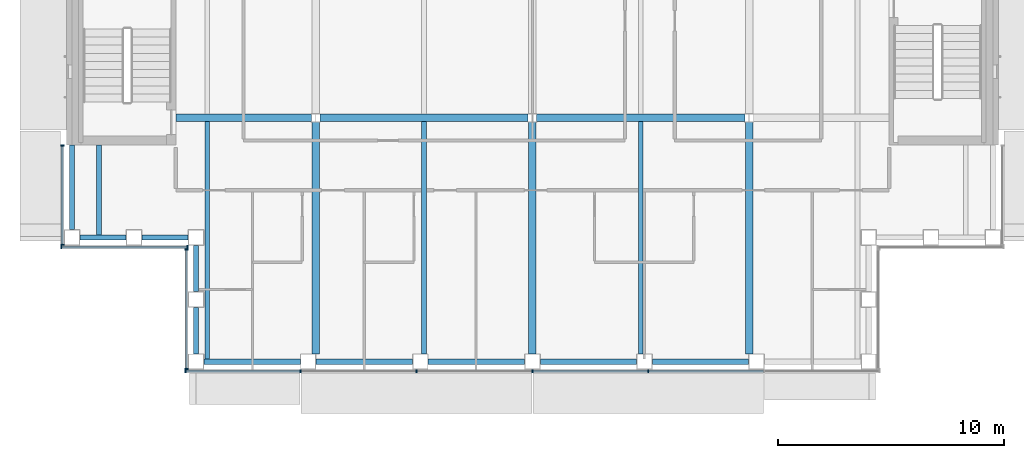
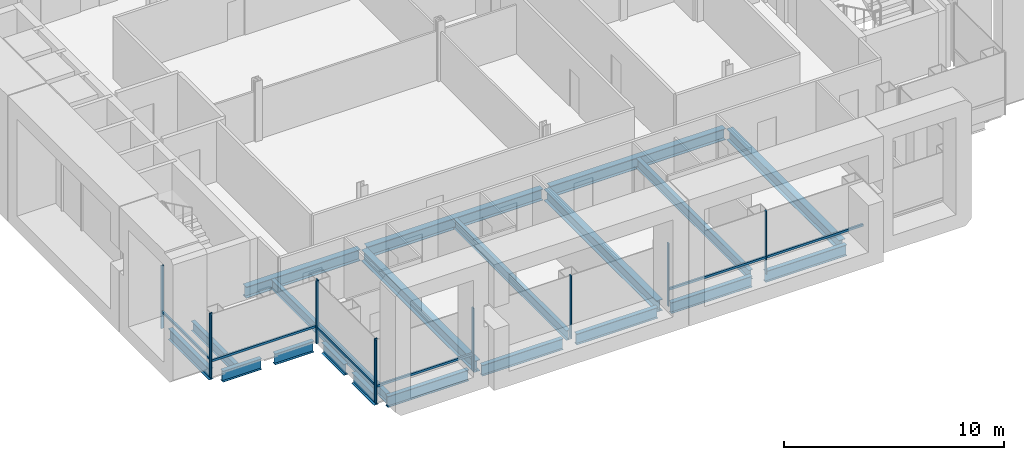
# One storey, part 3 of 19: 20 beams, 17 members, 4 elements without a shape of their own.
"""IFC4 building model written with IfcOpenShell, lengths in metres."""

from ifc_helpers import new_model, si_unit, direction, frame, origin, origin_2d, place, context, subcontext, project, spatial, rectangle, i_section, extrude, material, material_profile, profile_set, type_object, element, aggregate, save


model = new_model("IFC4")

# Units and contexts
model_context = context("Model", 3, precision=1e-05, world=origin(), true_north=direction((0.0, 1.0)))
body_context = subcontext(model_context, "Body", "Model", "MODEL_VIEW")
ifc_project = project(units=[si_unit("LENGTHUNIT", "METRE"), si_unit("AREAUNIT", "SQUARE_METRE"), si_unit("VOLUMEUNIT", "CUBIC_METRE"), si_unit("PLANEANGLEUNIT", "RADIAN"), si_unit("MASSUNIT", "GRAM", prefix="KILO")], contexts=[model_context])

# Site, building, storey
site_placement = place(None, origin())
site = spatial("IfcSite", under=ifc_project, at=site_placement, CompositionType="ELEMENT")
building_placement = place(site_placement, origin())
building = spatial("IfcBuilding", under=site, at=building_placement, Name="Cobrizo Arcos Hotel Tower", CompositionType="ELEMENT")
storey_placement = place(building_placement, frame((0.0, 0.0, 205.0)))
storey = spatial("IfcBuildingStorey", under=building, at=storey_placement, Name="L53", CompositionType="ELEMENT", Elevation=205.0)

# Curtain wall, members
ifc_material_1 = material(Name="Aluminium 6063-T6 anodised bronze", Category="aluminium")
curtain_wall_type = type_object("IfcCurtainWallType", Name="CW-A guest facade", PredefinedType="NOTDEFINED", material=ifc_material_1)
curtain_wall_1_placement = place(storey_placement, origin())
curtain_wall_1 = element("IfcCurtainWall", 1, at=curtain_wall_1_placement, inside=storey, type_object=curtain_wall_type, Name="CW-A L53 S face", PredefinedType="NOTDEFINED")
ifc_material_profile_1 = material_profile(ifc_material_1, rectangle(XDim=0.14990234375, YDim=0.06005859375, at=origin_2d()), Name="CW-A mullion 150x60")
ifc_profile_set_1 = profile_set([ifc_material_profile_1], Name="Aluminium 6063-T6 anodised bronze")
member_type_1 = type_object("IfcMemberType", Name="CW-A mullion 150x60", PredefinedType="MULLION", material=ifc_profile_set_1)
member_1_placement = place(storey_placement, frame((-15.3701171875, -20.824951171875, 0.0), z_axis=(0.0, 0.0, 1.0), x_axis=(0.0, -1.0, 0.0)))
member_1 = element("IfcMember", 2, at=member_1_placement, type_object=member_type_1, Name="CW-A mullion 1", PredefinedType="MULLION", context=body_context, shape_type="SweptSolid", body=[
    extrude(rectangle(XDim=0.14990234375, YDim=0.06005859375, at=origin_2d()), origin(), (0.0, 0.0, 1.0), 3.5),
])
member_2_placement = place(storey_placement, frame((-10.2666015625, -20.824951171875, 0.0), z_axis=(0.0, 0.0, 1.0), x_axis=(0.0, -1.0, 0.0)))
member_2 = element("IfcMember", 3, at=member_2_placement, type_object=member_type_1, Name="CW-A mullion 2", PredefinedType="MULLION", context=body_context, shape_type="SweptSolid", body=[
    extrude(rectangle(XDim=0.14990234375, YDim=0.06005859375, at=origin_2d()), origin(), (0.0, 0.0, 1.0), 3.5),
])
member_3_placement = place(storey_placement, frame((-5.13330078125, -20.824951171875, 0.0), z_axis=(0.0, 0.0, 1.0), x_axis=(0.0, -1.0, 0.0)))
member_3 = element("IfcMember", 4, at=member_3_placement, type_object=member_type_1, Name="CW-A mullion 3", PredefinedType="MULLION", context=body_context, shape_type="SweptSolid", body=[
    extrude(rectangle(XDim=0.14990234375, YDim=0.06005859375, at=origin_2d()), origin(), (0.0, 0.0, 1.0), 3.5),
])
member_4_placement = place(storey_placement, frame((0.0, -20.824951171875, 0.0), z_axis=(0.0, 0.0, 1.0), x_axis=(0.0, -1.0, 0.0)))
member_4 = element("IfcMember", 5, at=member_4_placement, type_object=member_type_1, Name="CW-A mullion 4", PredefinedType="MULLION", context=body_context, shape_type="SweptSolid", body=[
    extrude(rectangle(XDim=0.14990234375, YDim=0.06005859375, at=origin_2d()), origin(), (0.0, 0.0, 1.0), 3.5),
])
member_5_placement = place(storey_placement, frame((5.13330078125, -20.824951171875, 0.0), z_axis=(0.0, 0.0, 1.0), x_axis=(0.0, -1.0, 0.0)))
member_5 = element("IfcMember", 6, at=member_5_placement, type_object=member_type_1, Name="CW-A mullion 5", PredefinedType="MULLION", context=body_context, shape_type="SweptSolid", body=[
    extrude(rectangle(XDim=0.14990234375, YDim=0.06005859375, at=origin_2d()), origin(), (0.0, 0.0, 1.0), 3.5),
])

curtain_wall_2_placement = place(storey_placement, origin())
curtain_wall_2 = element("IfcCurtainWall", 7, at=curtain_wall_2_placement, inside=storey, type_object=curtain_wall_type, Name="CW-A L53 W face", PredefinedType="NOTDEFINED")
member_6_placement = place(storey_placement, frame((-20.824951171875, -10.830078125, 0.0), z_axis=(0.0, 0.0, 1.0), x_axis=(-1.0, 0.0, 0.0)))
member_6 = element("IfcMember", 8, at=member_6_placement, type_object=member_type_1, Name="CW-A mullion 1", PredefinedType="MULLION", context=body_context, shape_type="SweptSolid", body=[
    extrude(rectangle(XDim=0.14990234375, YDim=0.06005859375, at=origin_2d()), origin(), (0.0, 0.0, 1.0), 3.5),
])
member_7_placement = place(storey_placement, frame((-20.824951171875, -15.219970703125, 0.0), z_axis=(0.0, 0.0, 1.0), x_axis=(-1.0, 0.0, 0.0)))
member_7 = element("IfcMember", 9, at=member_7_placement, type_object=member_type_1, Name="CW-A mullion 2", PredefinedType="MULLION", context=body_context, shape_type="SweptSolid", body=[
    extrude(rectangle(XDim=0.14990234375, YDim=0.06005859375, at=origin_2d()), origin(), (0.0, 0.0, 1.0), 3.5),
])

curtain_wall_3_placement = place(storey_placement, origin())
curtain_wall_3 = element("IfcCurtainWall", 10, at=curtain_wall_3_placement, inside=storey, type_object=curtain_wall_type, Name="CW-A L53 S face", PredefinedType="NOTDEFINED")
member_8_placement = place(storey_placement, frame((-20.8701171875, -15.324951171875, 0.0), z_axis=(0.0, 0.0, 1.0), x_axis=(0.0, -1.0, 0.0)))
member_8 = element("IfcMember", 11, at=member_8_placement, type_object=member_type_1, Name="CW-A mullion 1", PredefinedType="MULLION", context=body_context, shape_type="SweptSolid", body=[
    extrude(rectangle(XDim=0.14990234375, YDim=0.06005859375, at=origin_2d()), origin(), (0.0, 0.0, 1.0), 3.5),
])
member_9_placement = place(storey_placement, frame((-15.280029296875, -15.324951171875, 0.0), z_axis=(0.0, 0.0, 1.0), x_axis=(0.0, -1.0, 0.0)))
member_9 = element("IfcMember", 12, at=member_9_placement, type_object=member_type_1, Name="CW-A mullion 2", PredefinedType="MULLION", context=body_context, shape_type="SweptSolid", body=[
    extrude(rectangle(XDim=0.14990234375, YDim=0.06005859375, at=origin_2d()), origin(), (0.0, 0.0, 1.0), 3.5),
])

curtain_wall_4_placement = place(storey_placement, origin())
curtain_wall_4 = element("IfcCurtainWall", 13, at=curtain_wall_4_placement, inside=storey, type_object=curtain_wall_type, Name="CW-A L53 W face", PredefinedType="NOTDEFINED")
member_10_placement = place(storey_placement, frame((-15.324951171875, -15.429931640625, 0.0), z_axis=(0.0, 0.0, 1.0), x_axis=(-1.0, 0.0, 0.0)))
member_10 = element("IfcMember", 14, at=member_10_placement, type_object=member_type_1, Name="CW-A mullion 1", PredefinedType="MULLION", context=body_context, shape_type="SweptSolid", body=[
    extrude(rectangle(XDim=0.14990234375, YDim=0.06005859375, at=origin_2d()), origin(), (0.0, 0.0, 1.0), 3.5),
])
member_11_placement = place(storey_placement, frame((-15.324951171875, -20.719970703125, 0.0), z_axis=(0.0, 0.0, 1.0), x_axis=(-1.0, 0.0, 0.0)))
member_11 = element("IfcMember", 15, at=member_11_placement, type_object=member_type_1, Name="CW-A mullion 2", PredefinedType="MULLION", context=body_context, shape_type="SweptSolid", body=[
    extrude(rectangle(XDim=0.14990234375, YDim=0.06005859375, at=origin_2d()), origin(), (0.0, 0.0, 1.0), 3.5),
])

# Member
ifc_material_profile_2 = material_profile(ifc_material_1, rectangle(XDim=0.10009765625, YDim=0.1201171875, at=origin_2d()), Name="CW-A transom 120x100")
ifc_profile_set_2 = profile_set([ifc_material_profile_2], Name="Aluminium 6063-T6 anodised bronze")
member_type_2 = type_object("IfcMemberType", Name="CW-A transom 120x100", PredefinedType="USERDEFINED", material=ifc_profile_set_2)
member_12_placement = place(storey_placement, frame((-15.340087890625, -20.824951171875, 0.929931640625), z_axis=(1.0, 0.0, 0.0), x_axis=(0.0, 1.0, 0.0)))
member_12 = element("IfcMember", 16, at=member_12_placement, type_object=member_type_2, Name="CW-A transom 1792", ObjectType="TRANSOM", PredefinedType="USERDEFINED", context=body_context, shape_type="SweptSolid", body=[
    extrude(rectangle(XDim=0.10009765625, YDim=0.1201171875, at=origin_2d()), origin(), (0.0, 0.0, 1.0), 5.04345703125),
])

member_13_placement = place(storey_placement, frame((0.030029296875, -20.824951171875, 0.929931640625), z_axis=(1.0, 0.0, 0.0), x_axis=(0.0, 1.0, 0.0)))
member_13 = element("IfcMember", 17, at=member_13_placement, type_object=member_type_2, Name="CW-A transom 1795", ObjectType="TRANSOM", PredefinedType="USERDEFINED", context=body_context, shape_type="SweptSolid", body=[
    extrude(rectangle(XDim=0.10009765625, YDim=0.1201171875, at=origin_2d()), origin(), (0.0, 0.0, 1.0), 5.0732421875),
])

member_14_placement = place(storey_placement, frame((5.163330078125, -20.824951171875, 0.929931640625), z_axis=(1.0, 0.0, 0.0), x_axis=(0.0, 1.0, 0.0)))
member_14 = element("IfcMember", 18, at=member_14_placement, type_object=member_type_2, Name="CW-A transom 1796", ObjectType="TRANSOM", PredefinedType="USERDEFINED", context=body_context, shape_type="SweptSolid", body=[
    extrude(rectangle(XDim=0.10009765625, YDim=0.1201171875, at=origin_2d()), origin(), (0.0, 0.0, 1.0), 5.0732421875),
])

aggregate(curtain_wall_1, [member_1, member_2, member_3, member_4, member_5, member_12, member_13, member_14])

member_15_placement = place(storey_placement, frame((-20.824951171875, -10.860107421875, 0.929931640625), z_axis=(0.0, -1.0, 0.0), x_axis=(1.0, 0.0, 0.0)))
member_15 = element("IfcMember", 19, at=member_15_placement, type_object=member_type_2, Name="CW-A transom 1813", ObjectType="TRANSOM", PredefinedType="USERDEFINED", context=body_context, shape_type="SweptSolid", body=[
    extrude(rectangle(XDim=0.10009765625, YDim=0.1201171875, at=origin_2d()), origin(), (0.0, 0.0, 1.0), 4.329833984375),
])

aggregate(curtain_wall_2, [member_6, member_7, member_15])

member_16_placement = place(storey_placement, frame((-20.840087890625, -15.324951171875, 0.929931640625), z_axis=(1.0, 0.0, 0.0), x_axis=(0.0, 1.0, 0.0)))
member_16 = element("IfcMember", 20, at=member_16_placement, type_object=member_type_2, Name="CW-A transom 1814", ObjectType="TRANSOM", PredefinedType="USERDEFINED", context=body_context, shape_type="SweptSolid", body=[
    extrude(rectangle(XDim=0.10009765625, YDim=0.1201171875, at=origin_2d()), origin(), (0.0, 0.0, 1.0), 5.530029296875),
])

aggregate(curtain_wall_3, [member_8, member_9, member_16])

member_17_placement = place(storey_placement, frame((-15.324951171875, -15.4599609375, 0.929931640625), z_axis=(0.0, -1.0, 0.0), x_axis=(1.0, 0.0, 0.0)))
member_17 = element("IfcMember", 21, at=member_17_placement, type_object=member_type_2, Name="CW-A transom 1815", ObjectType="TRANSOM", PredefinedType="USERDEFINED", context=body_context, shape_type="SweptSolid", body=[
    extrude(rectangle(XDim=0.10009765625, YDim=0.1201171875, at=origin_2d()), origin(), (0.0, 0.0, 1.0), 5.22998046875),
])

aggregate(curtain_wall_4, [member_10, member_11, member_17])

# Beams
ifc_material_2 = material(Name="Steel ASTM A992 Grade 50", Category="steel")
ifc_material_profile_3 = material_profile(ifc_material_2, i_section(OverallWidth=0.209228515625, OverallDepth=0.533447265625, WebThickness=0.01025390625, FlangeThickness=0.015625, at=origin_2d()), Name="W21X62")
ifc_profile_set_3 = profile_set([ifc_material_profile_3], Name="Steel ASTM A992 Grade 50")
beam_type_1 = type_object("IfcBeamType", Name="W21X62 joist", PredefinedType="JOIST", material=ifc_profile_set_3)
beam_1_placement = place(storey_placement, frame((-19.199951171875, -14.81005859375, -0.416748046875), z_axis=(0.0, 1.0, 0.0), x_axis=(-1.0, 0.0, 0.0)))
element("IfcBeam", 22, at=beam_1_placement, inside=storey, type_object=beam_type_1, Name="Floor joist J1, L53, no. 001", PredefinedType="JOIST", context=body_context, shape_type="SweptSolid", body=[
    extrude(i_section(OverallWidth=0.209228515625, OverallDepth=0.533447265625, WebThickness=0.01025390625, FlangeThickness=0.015625, at=origin_2d()), origin(), (0.0, 0.0, 1.0), 4.0),
])
beam_2_placement = place(storey_placement, frame((-14.39990234375, -20.31005859375, -0.416748046875), z_axis=(0.0, 1.0, 0.0), x_axis=(-1.0, 0.0, 0.0)))
element("IfcBeam", 23, at=beam_2_placement, inside=storey, type_object=beam_type_1, Name="Floor joist J1, L53, no. 003", PredefinedType="JOIST", context=body_context, shape_type="SweptSolid", body=[
    extrude(i_section(OverallWidth=0.209228515625, OverallDepth=0.533447265625, WebThickness=0.01025390625, FlangeThickness=0.015625, at=origin_2d()), origin(), (0.0, 0.0, 1.0), 10.546142578125),
])
for number, where, z_axis, x_axis, name in (
    (24, (-4.800048828125, -20.050048828125, -0.416748046875), (0.0, 1.0, 0.0), (-1.0, 0.0, 0.0), "Floor joist J1, L53, no. 007"),
    (25, (4.800048828125, -20.050048828125, -0.416748046875), (0.0, 1.0, 0.0), (-1.0, 0.0, 0.0), "Floor joist J1, L53, no. 011"),
):
    element("IfcBeam", number, at=place(storey_placement, frame(where, z_axis=z_axis, x_axis=x_axis)), inside=storey, type_object=beam_type_1, Name=name, PredefinedType="JOIST", context=body_context, shape_type="SweptSolid", body=[
        extrude(i_section(OverallWidth=0.209228515625, OverallDepth=0.533447265625, WebThickness=0.01025390625, FlangeThickness=0.015625, at=origin_2d()), origin(), (0.0, 0.0, 1.0), 10.2861328125),
    ])
ifc_material_profile_4 = material_profile(ifc_material_2, i_section(OverallWidth=0.32763671875, OverallDepth=0.622314453125, WebThickness=0.015380859375, FlangeThickness=0.0244140625, at=origin_2d()), Name="W24X131")
ifc_profile_set_4 = profile_set([ifc_material_profile_4], Name="Steel ASTM A992 Grade 50")
beam_type_2 = type_object("IfcBeamType", Name="W24X131 girder", PredefinedType="BEAM", material=ifc_profile_set_4)
beam_3_placement = place(storey_placement, frame((-15.7900390625, -9.60009765625, -0.461181640625), z_axis=(1.0, 0.0, 0.0), x_axis=(0.0, 1.0, 0.0)))
element("IfcBeam", 26, at=beam_3_placement, inside=storey, type_object=beam_type_2, Name="Floor girder G1, L53, no. 001", PredefinedType="BEAM", context=body_context, shape_type="SweptSolid", body=[
    extrude(i_section(OverallWidth=0.32763671875, OverallDepth=0.622314453125, WebThickness=0.015380859375, FlangeThickness=0.0244140625, at=origin_2d()), origin(), (0.0, 0.0, 1.0), 6.00341796875),
])
for number, where, z_axis, x_axis, name in (
    (27, (-9.413330078125, -9.60009765625, -0.461181640625), (1.0, 0.0, 0.0), (0.0, 1.0, 0.0), "Floor girder G1, L53, no. 002"),
    (28, (0.186767578125, -9.60009765625, -0.461181640625), (1.0, 0.0, 0.0), (0.0, 1.0, 0.0), "Floor girder G1, L53, no. 003"),
):
    element("IfcBeam", number, at=place(storey_placement, frame(where, z_axis=z_axis, x_axis=x_axis)), inside=storey, type_object=beam_type_2, Name=name, PredefinedType="BEAM", context=body_context, shape_type="SweptSolid", body=[
        extrude(i_section(OverallWidth=0.32763671875, OverallDepth=0.622314453125, WebThickness=0.015380859375, FlangeThickness=0.0244140625, at=origin_2d()), origin(), (0.0, 0.0, 1.0), 9.2265625),
    ])
for number, where, z_axis, x_axis, name in (
    (29, (-9.60009765625, -20.050048828125, -0.461181640625), (0.0, 1.0, 0.0), (-1.0, 0.0, 0.0), "Floor girder G1, L53, no. 013"),
    (30, (0.0, -20.050048828125, -0.461181640625), (0.0, 1.0, 0.0), (-1.0, 0.0, 0.0), "Floor girder G1, L53, no. 017"),
    (31, (9.60009765625, -20.050048828125, -0.461181640625), (0.0, 1.0, 0.0), (-1.0, 0.0, 0.0), "Floor girder G1, L53, no. 021"),
):
    element("IfcBeam", number, at=place(storey_placement, frame(where, z_axis=z_axis, x_axis=x_axis)), inside=storey, type_object=beam_type_2, Name=name, PredefinedType="BEAM", context=body_context, shape_type="SweptSolid", body=[
        extrude(i_section(OverallWidth=0.32763671875, OverallDepth=0.622314453125, WebThickness=0.015380859375, FlangeThickness=0.0244140625, at=origin_2d()), origin(), (0.0, 0.0, 1.0), 10.263427734375),
    ])
ifc_material_profile_5 = material_profile(ifc_material_2, i_section(OverallWidth=0.228271484375, OverallDepth=0.607177734375, WebThickness=0.01123046875, FlangeThickness=0.017333984375, at=origin_2d()), Name="W24X76")
ifc_profile_set_5 = profile_set([ifc_material_profile_5], Name="Steel ASTM A992 Grade 50")
beam_type_3 = type_object("IfcBeamType", Name="W24X76 spandrel", PredefinedType="SPANDREL", material=ifc_profile_set_5)
beam_4_placement = place(storey_placement, frame((-14.550048828125, -20.39990234375, -0.45361328125), z_axis=(1.0, 0.0, 0.0), x_axis=(0.0, 1.0, 0.0)))
element("IfcBeam", 32, at=beam_4_placement, inside=storey, type_object=beam_type_3, Name="Spandrel beam W24X76, L53, no. 001", PredefinedType="SPANDREL", context=body_context, shape_type="SweptSolid", body=[
    extrude(i_section(OverallWidth=0.228271484375, OverallDepth=0.607177734375, WebThickness=0.01123046875, FlangeThickness=0.017333984375, at=origin_2d()), origin(), (0.0, 0.0, 1.0), 4.26708984375),
])
beam_5_placement = place(storey_placement, frame((-9.5830078125, -20.39990234375, -0.45361328125), z_axis=(1.0, 0.0, 0.0), x_axis=(0.0, 1.0, 0.0)))
element("IfcBeam", 33, at=beam_5_placement, inside=storey, type_object=beam_type_3, Name="Spandrel beam W24X76, L53, no. 002", PredefinedType="SPANDREL", context=body_context, shape_type="SweptSolid", body=[
    extrude(i_section(OverallWidth=0.228271484375, OverallDepth=0.607177734375, WebThickness=0.01123046875, FlangeThickness=0.017333984375, at=origin_2d()), origin(), (0.0, 0.0, 1.0), 4.26611328125),
])
for number, where, z_axis, x_axis, name in (
    (34, (-4.616943359375, -20.39990234375, -0.45361328125), (1.0, 0.0, 0.0), (0.0, 1.0, 0.0), "Spandrel beam W24X76, L53, no. 003"),
    (35, (0.35009765625, -20.39990234375, -0.45361328125), (1.0, 0.0, 0.0), (0.0, 1.0, 0.0), "Spandrel beam W24X76, L53, no. 004"),
):
    element("IfcBeam", number, at=place(storey_placement, frame(where, z_axis=z_axis, x_axis=x_axis)), inside=storey, type_object=beam_type_3, Name=name, PredefinedType="SPANDREL", context=body_context, shape_type="SweptSolid", body=[
        extrude(i_section(OverallWidth=0.228271484375, OverallDepth=0.607177734375, WebThickness=0.01123046875, FlangeThickness=0.017333984375, at=origin_2d()), origin(), (0.0, 0.0, 1.0), 4.266845703125),
    ])
beam_6_placement = place(storey_placement, frame((5.31689453125, -20.39990234375, -0.45361328125), z_axis=(1.0, 0.0, 0.0), x_axis=(0.0, 1.0, 0.0)))
element("IfcBeam", 36, at=beam_6_placement, inside=storey, type_object=beam_type_3, Name="Spandrel beam W24X76, L53, no. 005", PredefinedType="SPANDREL", context=body_context, shape_type="SweptSolid", body=[
    extrude(i_section(OverallWidth=0.228271484375, OverallDepth=0.607177734375, WebThickness=0.01123046875, FlangeThickness=0.017333984375, at=origin_2d()), origin(), (0.0, 0.0, 1.0), 4.26611328125),
])
beam_7_placement = place(storey_placement, frame((-20.39990234375, -10.81005859375, -0.45361328125), z_axis=(0.0, -1.0, 0.0), x_axis=(1.0, 0.0, 0.0)))
element("IfcBeam", 37, at=beam_7_placement, inside=storey, type_object=beam_type_3, Name="Spandrel beam W24X76, L53, no. 028", PredefinedType="SPANDREL", context=body_context, shape_type="SweptSolid", body=[
    extrude(i_section(OverallWidth=0.228271484375, OverallDepth=0.607177734375, WebThickness=0.01123046875, FlangeThickness=0.017333984375, at=origin_2d()), origin(), (0.0, 0.0, 1.0), 3.739990234375),
])
for number, where, z_axis, x_axis, name in (
    (38, (-20.050048828125, -14.89990234375, -0.45361328125), (1.0, 0.0, 0.0), (0.0, 1.0, 0.0), "Spandrel beam W24X76, L53, no. 029"),
    (39, (-17.300048828125, -14.89990234375, -0.45361328125), (1.0, 0.0, 0.0), (0.0, 1.0, 0.0), "Spandrel beam W24X76, L53, no. 030"),
    (40, (-14.89990234375, -15.25, -0.45361328125), (0.0, -1.0, 0.0), (1.0, 0.0, 0.0), "Spandrel beam W24X76, L53, no. 031"),
    (41, (-14.89990234375, -18.0, -0.45361328125), (0.0, -1.0, 0.0), (1.0, 0.0, 0.0), "Spandrel beam W24X76, L53, no. 032"),
):
    element("IfcBeam", number, at=place(storey_placement, frame(where, z_axis=z_axis, x_axis=x_axis)), inside=storey, type_object=beam_type_3, Name=name, PredefinedType="SPANDREL", context=body_context, shape_type="SweptSolid", body=[
        extrude(i_section(OverallWidth=0.228271484375, OverallDepth=0.607177734375, WebThickness=0.01123046875, FlangeThickness=0.017333984375, at=origin_2d()), origin(), (0.0, 0.0, 1.0), 2.050048828125),
    ])

save(model, "model.ifc")
